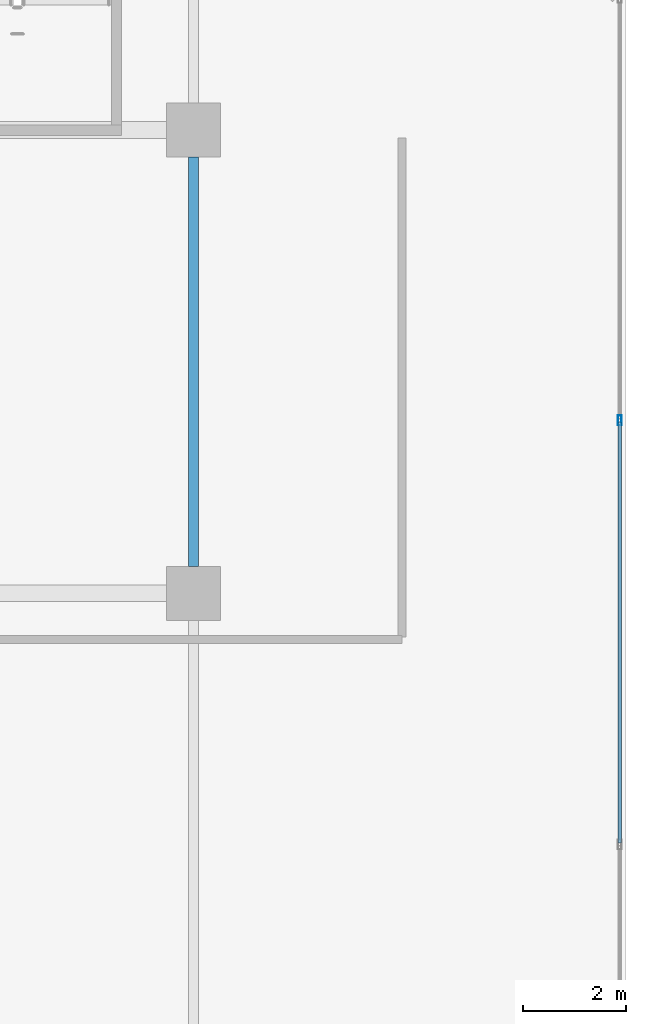
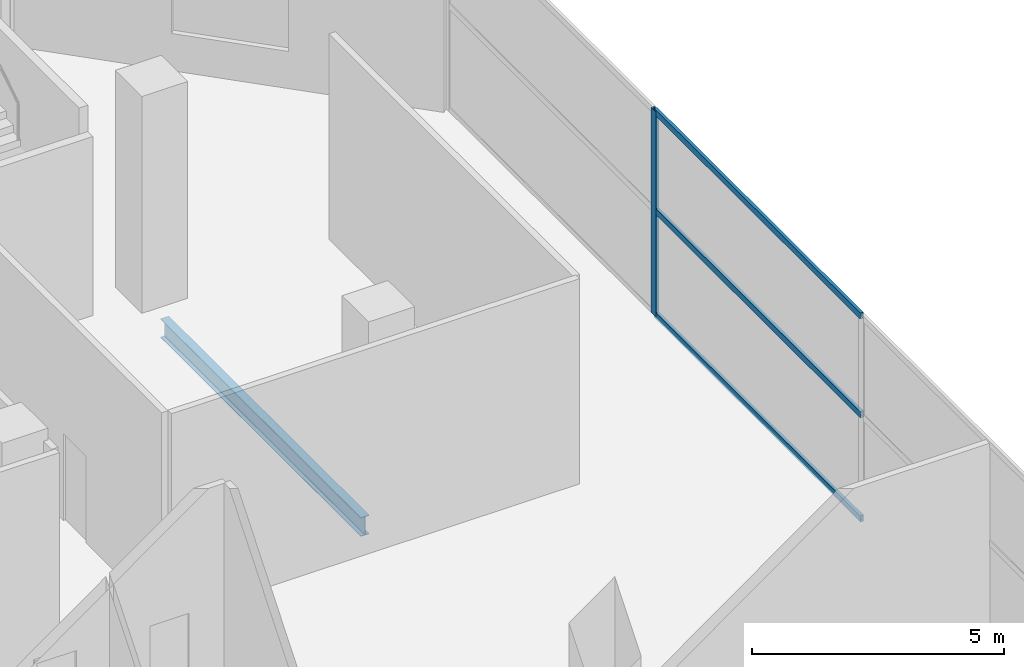
# One storey, part 28 of 40: 4 members, 1 beam, 1 element without a shape of its own.
"""IFC4 building model written with IfcOpenShell, lengths in metres."""

from ifc_helpers import new_model, si_unit, direction, frame, origin, origin_2d, place, context, subcontext, project, spatial, hollow_rectangle, i_section, extrude, material, layer, layer_set, material_profile, profile_set, type_object, element, aggregate, save


model = new_model("IFC4")

# Units and contexts
model_context = context("Model", 3, precision=1e-05, world=origin(), true_north=direction((0.0, 1.0)))
body_context = subcontext(model_context, "Body", "Model", "MODEL_VIEW")
ifc_project = project(units=[si_unit("LENGTHUNIT", "METRE"), si_unit("AREAUNIT", "SQUARE_METRE"), si_unit("VOLUMEUNIT", "CUBIC_METRE"), si_unit("PLANEANGLEUNIT", "RADIAN"), si_unit("MASSUNIT", "GRAM", prefix="KILO")], contexts=[model_context])

# Site, building, storey
site_placement = place(None, origin())
site = spatial("IfcSite", under=ifc_project, at=site_placement, CompositionType="ELEMENT")
building_placement = place(site_placement, origin())
building = spatial("IfcBuilding", under=site, at=building_placement, Name="Maruvema Waterfront Hotel and Observation Tower", CompositionType="ELEMENT")
storey_placement = place(building_placement, frame((0.0, 0.0, 5.60009765625)))
storey = spatial("IfcBuildingStorey", under=building, at=storey_placement, Name="L01", CompositionType="ELEMENT", Elevation=5.60009765625)

# Curtain wall, members
ifc_material_1 = material(Name="Anodised bronze aluminium and solar-control low-E IGU", Category="aluminium")
ifc_layer = layer(ifc_material_1, 0.159912109375, Name="Podium Waterfront Storefront Curtain Wall System CW-01")
ifc_layer_set = layer_set([ifc_layer], Name="Anodised bronze aluminium and solar-control low-E IGU")
curtain_wall_type = type_object("IfcCurtainWallType", Name="Podium Waterfront Storefront Curtain Wall System CW-01", PredefinedType="USERDEFINED", material=ifc_layer_set)
curtain_wall_placement = place(storey_placement, origin())
curtain_wall = element("IfcCurtainWall", 1, at=curtain_wall_placement, inside=storey, type_object=curtain_wall_type, Name="L01 Curtain Wall CW-L01-E", ObjectType="UNITISED CURTAIN WALL", PredefinedType="USERDEFINED")
ifc_material_2 = material(Name="Anodised architectural bronze aluminium", Category="aluminium")
ifc_material_profile_1 = material_profile(ifc_material_2, hollow_rectangle(XDim=0.070068359375, YDim=0.14990234375, WallThickness=0.00390625, at=origin_2d()), Name="ALU-T70x150")
ifc_profile_set_1 = profile_set([ifc_material_profile_1], Name="Anodised architectural bronze aluminium")
member_type_1 = type_object("IfcMemberType", Name="Curtain Wall Horizontal Transom ALU-T70x150", PredefinedType="USERDEFINED", material=ifc_profile_set_1)
member_1_placement = place(storey_placement, frame((75.47998046875, 31.14990234375, 0.02978515625), z_axis=(0.0, 1.0, 0.0), x_axis=(-1.0, 0.0, 0.0)))
member_1 = element("IfcMember", 2, at=member_1_placement, type_object=member_type_1, Name="CW-01 transom 4.1", ObjectType="TRANSOM", PredefinedType="USERDEFINED", context=body_context, shape_type="SweptSolid", body=[
    extrude(hollow_rectangle(XDim=0.070068359375, YDim=0.14990234375, WallThickness=0.00390625, at=origin_2d()), origin(), (0.0, 0.0, 1.0), 8.18017578125),
])
member_2_placement = place(storey_placement, frame((75.47998046875, 31.14990234375, 2.5498046875), z_axis=(0.0, 1.0, 0.0), x_axis=(-1.0, 0.0, 0.0)))
member_2 = element("IfcMember", 3, at=member_2_placement, type_object=member_type_1, Name="CW-01 transom 4.2", ObjectType="TRANSOM", PredefinedType="USERDEFINED", context=body_context, shape_type="SweptSolid", body=[
    extrude(hollow_rectangle(XDim=0.070068359375, YDim=0.14990234375, WallThickness=0.00390625, at=origin_2d()), origin(), (0.0, 0.0, 1.0), 8.18017578125),
])
member_3_placement = place(storey_placement, frame((75.47998046875, 31.14990234375, 4.93994140625), z_axis=(0.0, 1.0, 0.0), x_axis=(-1.0, 0.0, 0.0)))
member_3 = element("IfcMember", 4, at=member_3_placement, type_object=member_type_1, Name="CW-01 transom 4.3", ObjectType="TRANSOM", PredefinedType="USERDEFINED", context=body_context, shape_type="SweptSolid", body=[
    extrude(hollow_rectangle(XDim=0.070068359375, YDim=0.14990234375, WallThickness=0.00390625, at=origin_2d()), origin(), (0.0, 0.0, 1.0), 8.18017578125),
])

# Beam
ifc_material_3 = material(Name="Steel ASTM A572 Grade 50", Category="steel")
ifc_material_profile_2 = material_profile(ifc_material_3, i_section(OverallWidth=0.18994140625, OverallDepth=0.45703125, WebThickness=0.009033203125, FlangeThickness=0.014404296875, FilletRadius=0.014892578125, at=origin_2d()), Name="W460x74.0")
ifc_profile_set_2 = profile_set([ifc_material_profile_2], Name="Steel ASTM A572 Grade 50")
beam_type = type_object("IfcBeamType", Name="Perimeter Spandrel Beam W460x74.0", PredefinedType="SPANDREL", material=ifc_profile_set_2)
beam_placement = place(storey_placement, frame((67.199951171875, 36.52490234375, -0.508544921875), z_axis=(0.0, 1.0, 0.0), x_axis=(-1.0, 0.0, 0.0)))
element("IfcBeam", 5, at=beam_placement, inside=storey, type_object=beam_type, Name="L01 Floor Girder NS-33", PredefinedType="SPANDREL", context=body_context, shape_type="SweptSolid", body=[
    extrude(i_section(OverallWidth=0.18994140625, OverallDepth=0.45703125, WebThickness=0.009033203125, FlangeThickness=0.014404296875, FilletRadius=0.014892578125, at=origin_2d()), origin(), (0.0, 0.0, 1.0), 7.9501953125),
])

# Member
ifc_material_4 = material(Name="Anodised architectural bronze aluminium", Category="aluminium")
ifc_material_profile_3 = material_profile(ifc_material_4, hollow_rectangle(XDim=0.070068359375, YDim=0.18994140625, WallThickness=0.00390625, at=origin_2d()), Name="ALU-M70x190")
ifc_profile_set_3 = profile_set([ifc_material_profile_3], Name="Anodised architectural bronze aluminium")
member_type_2 = type_object("IfcMemberType", Name="Podium Storefront Heavy Mullion ALU-M70x190", PredefinedType="MULLION", material=ifc_profile_set_3)
member_4_placement = place(storey_placement, frame((75.47998046875, 39.360107421875, 0.0), z_axis=(0.0, 0.0, 1.0), x_axis=(-1.0, 0.0, 0.0)))
member_4 = element("IfcMember", 6, at=member_4_placement, type_object=member_type_2, Name="CW-01 mullion 5", PredefinedType="MULLION", context=body_context, shape_type="SweptSolid", body=[
    extrude(hollow_rectangle(XDim=0.070068359375, YDim=0.18994140625, WallThickness=0.00390625, at=origin_2d()), origin(), (0.0, 0.0, 1.0), 4.969970703125),
])

aggregate(curtain_wall, [member_4, member_1, member_2, member_3])

save(model, "model.ifc")
